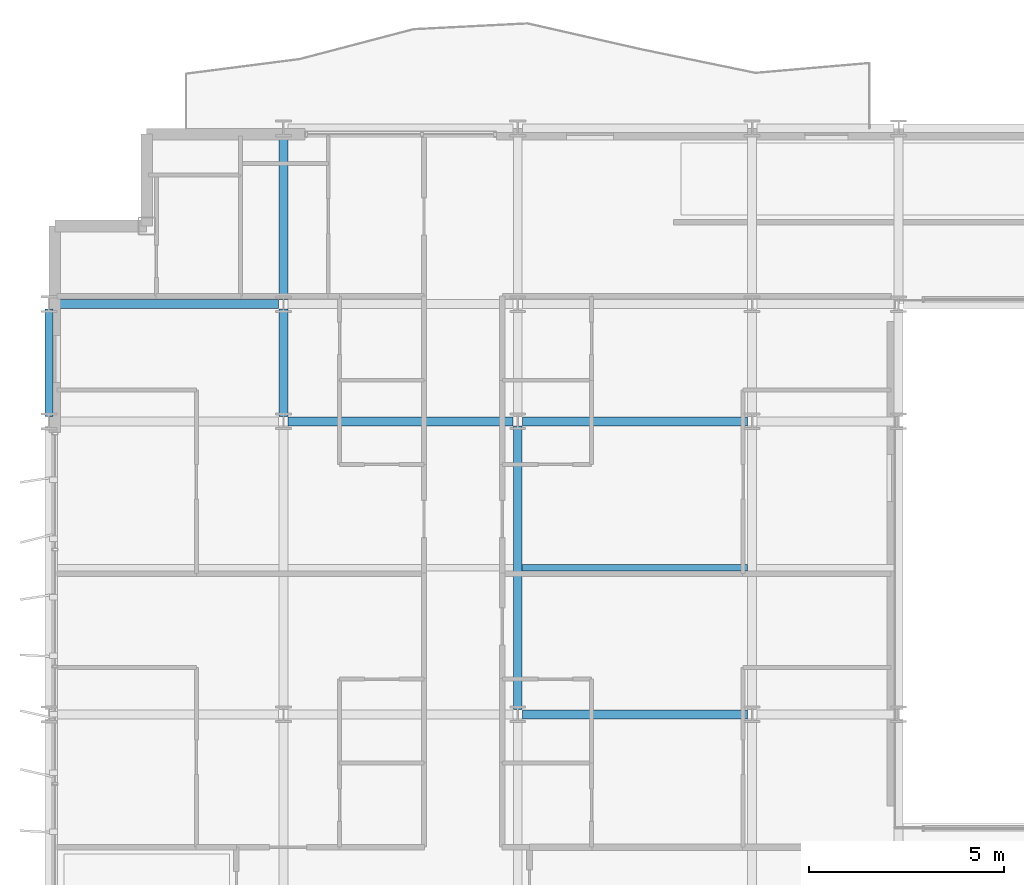
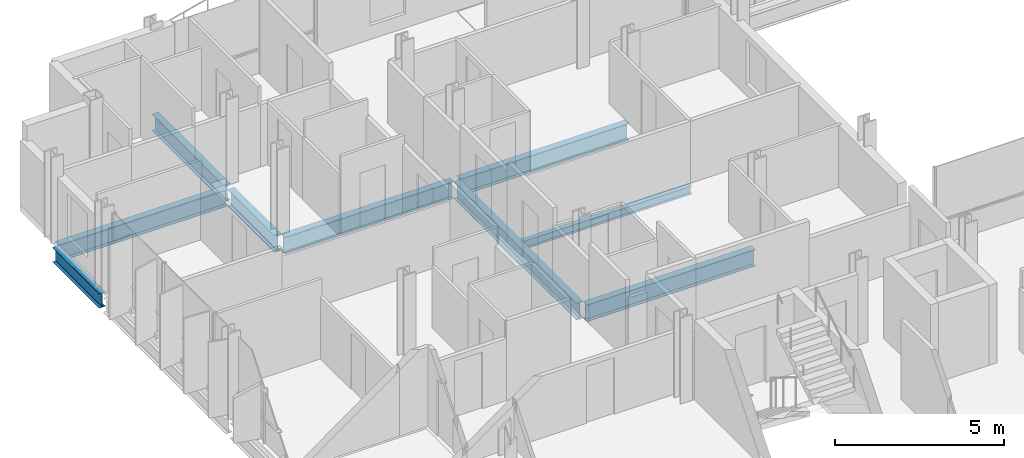
# One storey, part 6 of 39: 9 beams.
"""IFC4 building model written with IfcOpenShell, lengths in metres."""

from ifc_helpers import new_model, si_unit, direction, frame, origin, origin_2d, place, context, subcontext, project, spatial, i_section, extrude, material, material_profile, profile_set, type_object, element, save


model = new_model("IFC4")

# Units and contexts
model_context = context("Model", 3, precision=1e-05, world=origin(), true_north=direction((0.0, 1.0)))
body_context = subcontext(model_context, "Body", "Model", "MODEL_VIEW")
ifc_project = project(units=[si_unit("LENGTHUNIT", "METRE"), si_unit("AREAUNIT", "SQUARE_METRE"), si_unit("VOLUMEUNIT", "CUBIC_METRE"), si_unit("PLANEANGLEUNIT", "RADIAN"), si_unit("MASSUNIT", "GRAM", prefix="KILO")], contexts=[model_context])

# Site, building, storey
site_placement = place(None, origin())
site = spatial("IfcSite", under=ifc_project, at=site_placement, CompositionType="ELEMENT")
building_placement = place(site_placement, origin())
building = spatial("IfcBuilding", under=site, at=building_placement, Name="Brevholm Reach", CompositionType="ELEMENT")
storey_placement = place(building_placement, frame((0.0, 0.0, 115.89990234375)))
storey = spatial("IfcBuildingStorey", under=building, at=storey_placement, Name="L34", CompositionType="ELEMENT", Elevation=115.89990234375)

# Beams
ifc_material_1 = material(Name="Structural Steel S355J2", Category="steel")
ifc_material_profile_1 = material_profile(ifc_material_1, i_section(OverallWidth=0.1650390625, OverallDepth=0.303466796875, WebThickness=0.006103515625, FlangeThickness=0.01025390625, FilletRadius=0.0087890625, at=origin_2d()), Name="UKB 305x165x40")
ifc_profile_set_1 = profile_set([ifc_material_profile_1], Name="Structural Steel S355J2")
beam_type_1 = type_object("IfcBeamType", Name="BM-B305", PredefinedType="BEAM", material=ifc_profile_set_1)
beam_1_placement = place(storey_placement, frame((12.114501953125, 19.75, -0.37158203125), z_axis=(1.0, 0.0, 0.0), x_axis=(0.0, 1.0, 0.0)))
element("IfcBeam", 1, at=beam_1_placement, inside=storey, type_object=beam_type_1, Name="L34 Composite Secondary Floor Beam", PredefinedType="BEAM", context=body_context, shape_type="SweptSolid", body=[
    extrude(i_section(OverallWidth=0.1650390625, OverallDepth=0.303466796875, WebThickness=0.006103515625, FlangeThickness=0.01025390625, FilletRadius=0.0087890625, at=origin_2d()), origin(), (0.0, 0.0, 1.0), 5.77099609375),
])
ifc_material_2 = material(Name="Structural Steel S355J2", Category="steel")
ifc_material_profile_2 = material_profile(ifc_material_2, i_section(OverallWidth=0.209228515625, OverallDepth=0.533203125, WebThickness=0.010009765625, FlangeThickness=0.015625, FilletRadius=0.0126953125, at=origin_2d()), Name="UKB 533x210x92")
ifc_profile_set_2 = profile_set([ifc_material_profile_2], Name="Structural Steel S355J2")
beam_type_2 = type_object("IfcBeamType", Name="BM-SP533", PredefinedType="SPANDREL", material=ifc_profile_set_2)
beam_2_placement = place(storey_placement, frame((0.0, 23.6201171875, -0.486572265625), z_axis=(0.0, 1.0, 0.0), x_axis=(-1.0, 0.0, 0.0)))
element("IfcBeam", 2, at=beam_2_placement, inside=storey, type_object=beam_type_2, Name="L34 SP-02 Framing Beam", PredefinedType="SPANDREL", context=body_context, shape_type="SweptSolid", body=[
    extrude(i_section(OverallWidth=0.209228515625, OverallDepth=0.533203125, WebThickness=0.010009765625, FlangeThickness=0.015625, FilletRadius=0.0126953125, at=origin_2d()), origin(), (0.0, 0.0, 1.0), 2.759765625),
])
ifc_material_3 = material(Name="Structural Steel S355J2", Category="steel")
ifc_material_profile_3 = material_profile(ifc_material_3, i_section(OverallWidth=0.22900390625, OverallDepth=0.6123046875, WebThickness=0.011962890625, FlangeThickness=0.01953125, FilletRadius=0.0126953125, at=origin_2d()), Name="UKB 610x229x125")
ifc_profile_set_3 = profile_set([ifc_material_profile_3], Name="Structural Steel S355J2")
beam_type_3 = type_object("IfcBeamType", Name="BM-SP610", PredefinedType="SPANDREL", material=ifc_profile_set_3)
for number, where, z_axis, x_axis, name in (
    (3, (12.1201171875, 16.0, -0.526123046875), (1.0, 0.0, 0.0), (0.0, 1.0, 0.0), "L34 SP-01 Framing Beam"),
    (4, (6.1201171875, 23.5, -0.526123046875), (1.0, 0.0, 0.0), (0.0, 1.0, 0.0), "L34 SP-01 Framing Beam"),
    (5, (12.1201171875, 23.5, -0.526123046875), (1.0, 0.0, 0.0), (0.0, 1.0, 0.0), "L34 SP-01 Framing Beam"),
    (6, (0.1201171875, 26.5, -0.526123046875), (1.0, 0.0, 0.0), (0.0, 1.0, 0.0), "L34 SP-01 Framing Beam"),
):
    element("IfcBeam", number, at=place(storey_placement, frame(where, z_axis=z_axis, x_axis=x_axis)), inside=storey, type_object=beam_type_3, Name=name, PredefinedType="SPANDREL", context=body_context, shape_type="SweptSolid", body=[
        extrude(i_section(OverallWidth=0.22900390625, OverallDepth=0.6123046875, WebThickness=0.011962890625, FlangeThickness=0.01953125, FilletRadius=0.0126953125, at=origin_2d()), origin(), (0.0, 0.0, 1.0), 5.759765625),
    ])
beam_3_placement = place(storey_placement, frame((6.0, 23.6201171875, -0.526123046875), z_axis=(0.0, 1.0, 0.0), x_axis=(-1.0, 0.0, 0.0)))
element("IfcBeam", 7, at=beam_3_placement, inside=storey, type_object=beam_type_3, Name="L34 SP-01 Framing Beam", PredefinedType="SPANDREL", context=body_context, shape_type="SweptSolid", body=[
    extrude(i_section(OverallWidth=0.22900390625, OverallDepth=0.6123046875, WebThickness=0.011962890625, FlangeThickness=0.01953125, FilletRadius=0.0126953125, at=origin_2d()), origin(), (0.0, 0.0, 1.0), 2.759765625),
])
beam_4_placement = place(storey_placement, frame((6.0, 26.6201171875, -0.526123046875), z_axis=(0.0, 1.0, 0.0), x_axis=(-1.0, 0.0, 0.0)))
element("IfcBeam", 8, at=beam_4_placement, inside=storey, type_object=beam_type_3, Name="L34 SP-01 Framing Beam", PredefinedType="SPANDREL", context=body_context, shape_type="SweptSolid", body=[
    extrude(i_section(OverallWidth=0.22900390625, OverallDepth=0.6123046875, WebThickness=0.011962890625, FlangeThickness=0.01953125, FilletRadius=0.0126953125, at=origin_2d()), origin(), (0.0, 0.0, 1.0), 4.259765625),
])
beam_5_placement = place(storey_placement, frame((12.0, 16.1201171875, -0.526123046875), z_axis=(0.0, 1.0, 0.0), x_axis=(-1.0, 0.0, 0.0)))
element("IfcBeam", 9, at=beam_5_placement, inside=storey, type_object=beam_type_3, Name="L34 SP-01 Framing Beam", PredefinedType="SPANDREL", context=body_context, shape_type="SweptSolid", body=[
    extrude(i_section(OverallWidth=0.22900390625, OverallDepth=0.6123046875, WebThickness=0.011962890625, FlangeThickness=0.01953125, FilletRadius=0.0126953125, at=origin_2d()), origin(), (0.0, 0.0, 1.0), 7.259765625),
])

save(model, "model.ifc")
